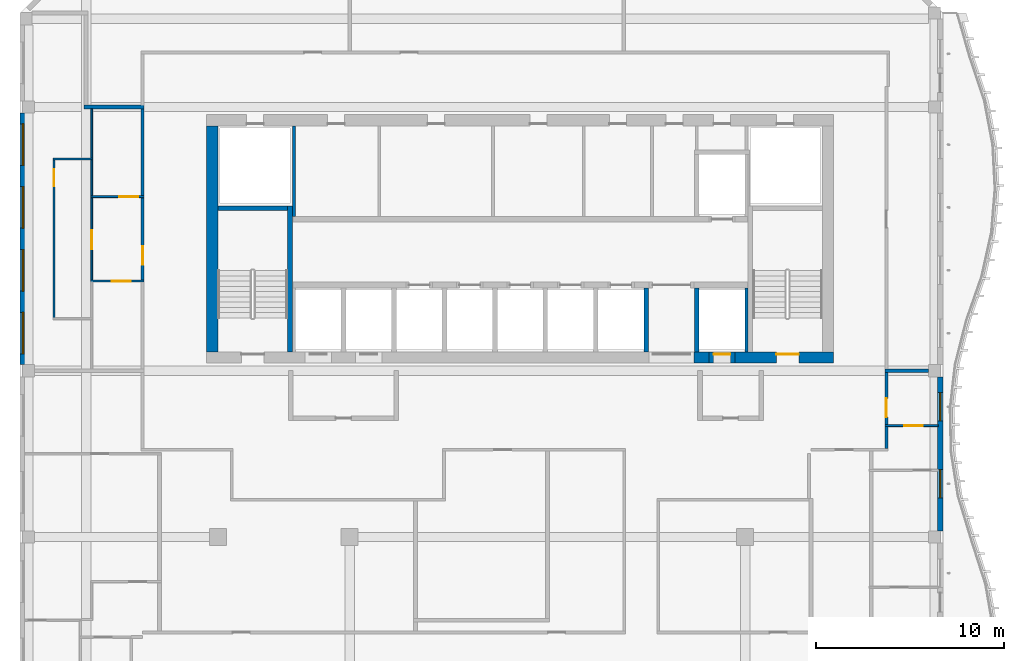
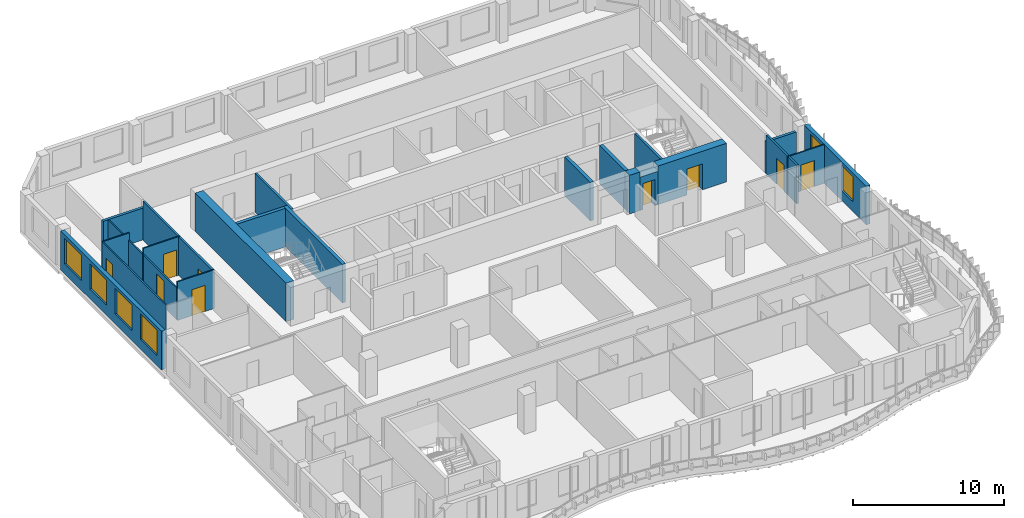
# One storey, part 6 of 17: 26 walls, 9 doors, 6 windows, 15 openings.
"""IFC4 building model written with IfcOpenShell, lengths in metres."""

import ifcopenshell
import ifcopenshell.guid

model = None  # the IFC model being written
_history = None  # IfcOwnerHistory: only IFC2X3 demands one
_inside = {}  # id of a spatial element -> (the spatial element, [elements in it])
_under = {}  # id of a project, library or spatial element -> (it, [spatial elements below it])
_declared = {}  # id of a project -> (the project, [libraries it declares])
_typed = {}  # id of a type object -> (the type object, [elements of that type])
_made_of = {}  # id of a material, layer set ... -> (it, [elements and type objects made of it])


def new_model(schema):
    """Start an empty IFC model of exactly this schema.

    Asked for "IFC4X3", IfcOpenShell would pick the latest addendum, in which some entities
    have other attributes; the version numbers below select the first issue.
    IFC2X3 requires an IfcOwnerHistory on every rooted entity: one is made here for all.
    """
    global model, _history
    if schema == "IFC4X3":
        model = ifcopenshell.file(schema_version=(4, 3, 0, 0))
    else:
        model = ifcopenshell.file(schema=schema)
    _inside.clear()
    _under.clear()
    _declared.clear()
    _typed.clear()
    _made_of.clear()
    _history = None
    if model.schema == "IFC2X3":
        org = make("IfcOrganization", Name="unknown")
        user = make(
            "IfcPersonAndOrganization",
            ThePerson=make("IfcPerson", FamilyName="unknown"),
            TheOrganization=org,
        )
        app = make(
            "IfcApplication",
            ApplicationDeveloper=org,
            Version="unknown",
            ApplicationFullName="unknown",
            ApplicationIdentifier="unknown",
        )
        _history = make(
            "IfcOwnerHistory",
            OwningUser=user,
            OwningApplication=app,
            ChangeAction="ADDED",
            CreationDate=0,
        )
    return model


def make(cls, **values):
    """One entity of the class cls with the attributes given. An attribute that is None is left unset."""
    return model.create_entity(
        cls, **{name: value for name, value in values.items() if value is not None}
    )


def rooted(cls, **values):
    """An entity with a GlobalId (a new one), such as an element, a storey or a relation."""
    return make(cls, GlobalId=ifcopenshell.guid.new(), OwnerHistory=_history, **values)


def si_unit(unit_type, name, prefix=None):
    """IfcSIUnit, for example si_unit("LENGTHUNIT", "METRE", prefix="MILLI")."""
    return make("IfcSIUnit", UnitType=unit_type, Prefix=prefix, Name=name)


def assignment(units):
    """IfcUnitAssignment: the units of a project."""
    return None if units is None else make("IfcUnitAssignment", Units=units)


def point(xyz):
    """IfcCartesianPoint."""
    return None if xyz is None else make("IfcCartesianPoint", Coordinates=xyz)


def direction(xyz):
    """IfcDirection."""
    return None if xyz is None else make("IfcDirection", DirectionRatios=xyz)


def frame(location, z_axis=None, x_axis=None):
    """IfcAxis2Placement3D, a coordinate frame: its origin and axes. An axis left out is left unset."""
    return make(
        "IfcAxis2Placement3D",
        Location=point(location),
        Axis=direction(z_axis),
        RefDirection=direction(x_axis),
    )


def frame_2d(location, x_axis=None):
    """IfcAxis2Placement2D, a coordinate frame in the plane: its origin and x axis."""
    return make(
        "IfcAxis2Placement2D", Location=point(location), RefDirection=direction(x_axis)
    )


def origin():
    """The frame at (0, 0, 0) with its axes left unset."""
    return frame((0.0, 0.0, 0.0))


def place(relative_to, where):
    """IfcLocalPlacement: puts the frame where relative to a parent placement (None: the world)."""
    return make(
        "IfcLocalPlacement", PlacementRelTo=relative_to, RelativePlacement=where
    )


def context(
    kind, dimensions, precision=None, world=None, true_north=None, identifier=None
):
    """IfcGeometricRepresentationContext, for example the 3D "Model" context."""
    return make(
        "IfcGeometricRepresentationContext",
        ContextIdentifier=identifier,
        ContextType=kind,
        CoordinateSpaceDimension=dimensions,
        Precision=precision,
        WorldCoordinateSystem=world,
        TrueNorth=true_north,
    )


def subcontext(parent, identifier, kind, view, scale=None):
    """IfcGeometricRepresentationSubContext, for example "Body" below "Model"."""
    return make(
        "IfcGeometricRepresentationSubContext",
        ContextIdentifier=identifier,
        ContextType=kind,
        ParentContext=parent,
        TargetScale=scale,
        TargetView=view,
    )


def project(units=None, contexts=None):
    """IfcProject with its units and contexts."""
    return rooted(
        "IfcProject",
        Name="project",
        RepresentationContexts=contexts,
        UnitsInContext=assignment(units),
    )


def spatial(cls, under=None, at=None, **own):
    """A site, building, storey or space (cls), placed at a placement, below another one or the project."""
    s = rooted(cls, ObjectPlacement=at, **own)
    if under is not None:
        _under.setdefault(under.id(), (under, []))[1].append(s)
    return s


def profile(cls, at=None, kind="AREA", **sizes):
    """A parametric profile (cls). Its sizes go by their IFC names, for example OverallWidth=200.0."""
    return make(cls, ProfileType=kind, Position=at, **sizes)


def rectangle(**sizes):
    """IfcRectangleProfileDef."""
    return profile("IfcRectangleProfileDef", **sizes)


def extrude(swept, where, along, depth):
    """IfcExtrudedAreaSolid: the profile swept, set in the frame where, extruded along a direction by depth."""
    return make(
        "IfcExtrudedAreaSolid",
        SweptArea=swept,
        Position=where,
        ExtrudedDirection=direction(along),
        Depth=depth,
    )


def shape(context_of_items, identifier, shape_type, items):
    """IfcShapeRepresentation: the items that make up one representation, for example the "Body"."""
    return make(
        "IfcShapeRepresentation",
        ContextOfItems=context_of_items,
        RepresentationIdentifier=identifier,
        RepresentationType=shape_type,
        Items=items,
    )


def source(mapping_origin, context_of_items, identifier, shape_type, items):
    """IfcRepresentationMap: a shape defined once, which mapped items show again and again."""
    return make(
        "IfcRepresentationMap",
        MappingOrigin=mapping_origin,
        MappedRepresentation=shape(context_of_items, identifier, shape_type, items),
    )


def transform(
    local_origin,
    x_axis=None,
    y_axis=None,
    z_axis=None,
    scale=None,
    scale2=None,
    scale3=None,
    uniform=True,
):
    """IfcCartesianTransformationOperator3D, or its non-uniform kind. x_axis, y_axis, z_axis: its Axis1, 2, 3."""
    if uniform:
        return make(
            "IfcCartesianTransformationOperator3D",
            Axis1=direction(x_axis),
            Axis2=direction(y_axis),
            LocalOrigin=point(local_origin),
            Scale=scale,
            Axis3=direction(z_axis),
        )
    return make(
        "IfcCartesianTransformationOperator3DnonUniform",
        Axis1=direction(x_axis),
        Axis2=direction(y_axis),
        LocalOrigin=point(local_origin),
        Scale=scale,
        Axis3=direction(z_axis),
        Scale2=scale2,
        Scale3=scale3,
    )


def mapped(mapping_source, mapping_target):
    """IfcMappedItem: shows the shape of a source again, moved by a transform."""
    return make(
        "IfcMappedItem", MappingSource=mapping_source, MappingTarget=mapping_target
    )


def material(Name=None, Category=None):
    """IfcMaterial."""
    return make("IfcMaterial", Name=Name, Category=Category)


def layer(
    of_material, thickness, ventilated=None, Name=None, Category=None, Priority=None
):
    """IfcMaterialLayer: one layer of a wall or slab, of a material (None: an air gap)."""
    return make(
        "IfcMaterialLayer",
        Material=of_material,
        LayerThickness=thickness,
        IsVentilated=ventilated,
        Name=Name,
        Category=Category,
        Priority=Priority,
    )


def layer_set(layers, Name=None):
    """IfcMaterialLayerSet."""
    return make("IfcMaterialLayerSet", MaterialLayers=layers, LayerSetName=Name)


def made_of(thing, what):
    """Note that an element or type object is made of a material, layer set ...; save() writes the relation."""
    if what is not None:
        _made_of.setdefault(what.id(), (what, []))[1].append(thing)
    return thing


def type_object(cls, material=None, **own):
    """A type object (cls), such as IfcWallType, which elements share."""
    return made_of(rooted(cls, **own), material)


def element(
    cls,
    number,
    at=None,
    inside=None,
    cuts=None,
    type_object=None,
    material=None,
    context=None,
    identifier="Body",
    shape_type=None,
    held_by="IfcProductDefinitionShape",
    body=None,
    shapes=None,
    **own,
):
    """One element of the class cls, such as IfcWall. Its Tag is "e" and its number.

    at: its placement. inside: the storey or other place that contains it. cuts: it is an
    opening in that element (IfcRelVoidsElement). A single representation is given by context,
    identifier, shape_type and body (its items); several are given by shapes. held_by: the class
    of the entity that holds the representations. save() writes the other relations.
    """
    e = rooted(cls, Tag="e%d" % number, ObjectPlacement=at, **own)
    if body is not None:
        shapes = [shape(context, identifier, shape_type, body)]
    if shapes is not None:
        e.Representation = make(held_by, Representations=shapes)
    if inside is not None:
        _inside.setdefault(inside.id(), (inside, []))[1].append(e)
    if cuts is not None:
        rooted(
            "IfcRelVoidsElement", RelatingBuildingElement=cuts, RelatedOpeningElement=e
        )
    if type_object is not None:
        _typed.setdefault(type_object.id(), (type_object, []))[1].append(e)
    return made_of(e, material)


def fill(opening, filler):
    """IfcRelFillsElement: the door or window that sits in an opening."""
    return rooted(
        "IfcRelFillsElement",
        RelatingOpeningElement=opening,
        RelatedBuildingElement=filler,
    )


def aggregate(whole, parts):
    """IfcRelAggregates: a whole, such as a stair, and the parts it consists of."""
    return rooted("IfcRelAggregates", RelatingObject=whole, RelatedObjects=parts)


def save(model, path):
    """Write the relations noted so far, then the file.

    IfcRelAggregates (storeys below a building ...), IfcRelContainedInSpatialStructure (elements
    in a storey), IfcRelDefinesByType, IfcRelAssociatesMaterial and IfcRelDeclares: one each for
    every whole, place, type object, material and project.
    """
    for whole, parts in _under.values():
        aggregate(whole, parts)
    for where, things in _inside.values():
        rooted(
            "IfcRelContainedInSpatialStructure",
            RelatedElements=things,
            RelatingStructure=where,
        )
    for kind, things in _typed.values():
        rooted("IfcRelDefinesByType", RelatedObjects=things, RelatingType=kind)
    for what, things in _made_of.values():
        rooted("IfcRelAssociatesMaterial", RelatedObjects=things, RelatingMaterial=what)
    for by, libraries in _declared.values():
        rooted("IfcRelDeclares", RelatingContext=by, RelatedDefinitions=libraries)
    model.write(path)


model = new_model("IFC4")

# Units and contexts
model_context = context("Model", 3, precision=1e-05, world=origin(), true_north=direction((0.0, 1.0)))
body_context = subcontext(model_context, "Body", "Model", "MODEL_VIEW")
ifc_project = project(units=[si_unit("LENGTHUNIT", "METRE"), si_unit("AREAUNIT", "SQUARE_METRE"), si_unit("VOLUMEUNIT", "CUBIC_METRE"), si_unit("PLANEANGLEUNIT", "RADIAN"), si_unit("MASSUNIT", "GRAM", prefix="KILO")], contexts=[model_context])

# Site, building, storey
site_placement = place(None, origin())
site = spatial("IfcSite", under=ifc_project, at=site_placement, CompositionType="ELEMENT")
building_placement = place(site_placement, origin())
building = spatial("IfcBuilding", under=site, at=building_placement, Name="Kilnfold Tower and Market Hall", CompositionType="ELEMENT")
storey_placement = place(building_placement, frame((0.0, 0.0, 273.800048828125)))
storey = spatial("IfcBuildingStorey", under=building, at=storey_placement, Name="L67", CompositionType="ELEMENT", Elevation=273.800048828125)

# Wall
ifc_material_1 = material(Name="Gypsum board on steel studs", Category="steel")
ifc_layer_1 = layer(ifc_material_1, 0.14990234375)
ifc_layer_set_1 = layer_set([ifc_layer_1], Name="Gypsum board on steel studs")
wall_type_1 = type_object("IfcWallType", Name="WALL CORRIDOR 150", PredefinedType="PARTITIONING", material=ifc_layer_set_1)
wall_1_placement = place(storey_placement, frame((20.5, 3.875, 0.0), z_axis=(0.0, 0.0, 1.0), x_axis=(0.0, 1.0, 0.0)))
element("IfcWall", 1, at=wall_1_placement, inside=storey, type_object=wall_type_1, Name="Partition LY41.18", PredefinedType="PARTITIONING", context=body_context, shape_type="SweptSolid", body=[
    extrude(rectangle(XDim=1.16796875, YDim=0.14990234375, at=frame_2d((0.583984375, 0.0))), origin(), (0.0, 0.0, 1.0), 3.119873046875),
])

# Wall, opening, door
wall_2_placement = place(storey_placement, frame((20.5, 5.123046875, 0.0), z_axis=(0.0, 0.0, 1.0), x_axis=(0.0, 1.0, 0.0)))
wall_2 = element("IfcWall", 2, at=wall_2_placement, inside=storey, type_object=wall_type_1, Name="Partition LY41.19", PredefinedType="PARTITIONING", context=body_context, shape_type="SweptSolid", body=[
    extrude(rectangle(XDim=2.786865234375, YDim=0.14990234375, at=frame_2d((1.3935546875, 0.0))), origin(), (0.0, 0.0, 1.0), 3.119873046875),
])
opening_1_placement = place(wall_2_placement, frame((0.4130859375, 0.0, 0.0)))
opening_1 = element("IfcOpeningElement", 3, at=opening_1_placement, cuts=wall_2, Name="Opening D1", PredefinedType="OPENING", context=body_context, shape_type="SweptSolid", body=[
    extrude(rectangle(XDim=1.0, YDim=2.10009765625, at=frame_2d((0.5, 1.050048828125))), frame((0.0, 0.0849609375, 0.0), z_axis=(0.0, -1.0, 0.0), x_axis=(1.0, 0.0, 0.0)), (0.0, 0.0, 1.0), 0.169921875),
])
ifc_material_2 = material(Name="Timber veneer door leaf in steel frame", Category="steel")
door_type_1 = type_object("IfcDoorType", Name="DOOR ENTRY 1000 X2100", OperationType="NOTDEFINED", PredefinedType="DOOR", material=ifc_material_2)
door_1_placement = place(opening_1_placement, origin())
door_1 = element("IfcDoor", 4, at=door_1_placement, inside=storey, type_object=door_type_1, Name="Door D1", OperationType="SINGLE_SWING_LEFT", OverallHeight=2.10009765625, OverallWidth=1.0, PredefinedType="DOOR", context=body_context, shape_type="SweptSolid", body=[
    extrude(rectangle(XDim=1.0, YDim=2.10009765625, at=frame_2d((0.5, 1.050048828125))), frame((0.0, 0.02490234375, 0.0), z_axis=(0.0, -1.0, 0.0), x_axis=(1.0, 0.0, 0.0)), (0.0, 0.0, 1.0), 0.050048828125),
])
fill(opening_1, door_1)

wall_3_placement = place(storey_placement, frame((-19.0, 12.800048828125, 0.0), z_axis=(0.0, 0.0, 1.0), x_axis=(0.0, 1.0, 0.0)))
wall_3 = element("IfcWall", 5, at=wall_3_placement, inside=storey, type_object=wall_type_1, Name="Partition LY41.25", PredefinedType="PARTITIONING", context=body_context, shape_type="SweptSolid", body=[
    extrude(rectangle(XDim=4.39990234375, YDim=0.14990234375, at=frame_2d((2.199951171875, 0.0))), origin(), (0.0, 0.0, 1.0), 3.119873046875),
])
opening_2_placement = place(wall_3_placement, frame((0.821044921875, 0.0, 0.0)))
opening_2 = element("IfcOpeningElement", 6, at=opening_2_placement, cuts=wall_3, Name="Opening D1", PredefinedType="OPENING", context=body_context, shape_type="SweptSolid", body=[
    extrude(rectangle(XDim=1.0, YDim=2.10009765625, at=frame_2d((0.5, 1.050048828125))), frame((0.0, 0.0849609375, 0.0), z_axis=(0.0, -1.0, 0.0), x_axis=(1.0, 0.0, 0.0)), (0.0, 0.0, 1.0), 0.169921875),
])
door_2_placement = place(opening_2_placement, origin())
door_2 = element("IfcDoor", 7, at=door_2_placement, inside=storey, type_object=door_type_1, Name="Door D1", OperationType="SINGLE_SWING_RIGHT", OverallHeight=2.10009765625, OverallWidth=1.0, PredefinedType="DOOR", context=body_context, shape_type="SweptSolid", body=[
    extrude(rectangle(XDim=1.0, YDim=2.10009765625, at=frame_2d((0.5, 1.050048828125))), frame((0.0, 0.02490234375, 0.0), z_axis=(0.0, -1.0, 0.0), x_axis=(1.0, 0.0, 0.0)), (0.0, 0.0, 1.0), 0.050048828125),
])
fill(opening_2, door_2)

# Wall
wall_4_placement = place(storey_placement, frame((-19.0, 17.280029296875, 0.0), z_axis=(0.0, 0.0, 1.0), x_axis=(0.0, 1.0, 0.0)))
element("IfcWall", 8, at=wall_4_placement, inside=storey, type_object=wall_type_1, Name="Partition LY41.26", PredefinedType="PARTITIONING", context=body_context, shape_type="SweptSolid", body=[
    extrude(rectangle(XDim=4.6298828125, YDim=0.14990234375, at=frame_2d((2.31494140625, 0.0))), origin(), (0.0, 0.0, 1.0), 3.119873046875),
])

# Wall, opening, door
ifc_material_3 = material(Name="Gypsum board on steel studs", Category="steel")
ifc_layer_2 = layer(ifc_material_3, 0.10009765625)
ifc_layer_set_2 = layer_set([ifc_layer_2], Name="Gypsum board on steel studs")
wall_type_2 = type_object("IfcWallType", Name="WALL PARTITION 100", PredefinedType="PARTITIONING", material=ifc_layer_set_2)
wall_5_placement = place(storey_placement, frame((23.25, 5.0830078125, 0.0), z_axis=(0.0, 0.0, 1.0), x_axis=(-1.0, 0.0, 0.0)))
wall_5 = element("IfcWall", 9, at=wall_5_placement, inside=storey, type_object=wall_type_2, Name="Partition LY41.77", PredefinedType="PARTITIONING", context=body_context, shape_type="SweptSolid", body=[
    extrude(rectangle(XDim=2.822998046875, YDim=0.10009765625, at=frame_2d((1.41162109375, 0.0))), origin(), (0.0, 0.0, 1.0), 3.119873046875),
])
opening_3_placement = place(wall_5_placement, frame((0.81005859375, 0.0, 0.0)))
opening_3 = element("IfcOpeningElement", 10, at=opening_3_placement, cuts=wall_5, Name="Opening D1", PredefinedType="OPENING", context=body_context, shape_type="SweptSolid", body=[
    extrude(rectangle(XDim=1.0, YDim=2.10009765625, at=frame_2d((0.5, 1.050048828125))), frame((0.0, 0.06005859375, 0.0), z_axis=(0.0, -1.0, 0.0), x_axis=(1.0, 0.0, 0.0)), (0.0, 0.0, 1.0), 0.1201171875),
])
door_3_placement = place(opening_3_placement, origin())
door_3 = element("IfcDoor", 11, at=door_3_placement, inside=storey, type_object=door_type_1, Name="Door D1", OperationType="SINGLE_SWING_RIGHT", OverallHeight=2.10009765625, OverallWidth=1.0, PredefinedType="DOOR", context=body_context, shape_type="SweptSolid", body=[
    extrude(rectangle(XDim=1.0, YDim=2.10009765625, at=frame_2d((0.5, 1.050048828125))), frame((0.0, 0.02490234375, 0.0), z_axis=(0.0, -1.0, 0.0), x_axis=(1.0, 0.0, 0.0)), (0.0, 0.0, 1.0), 0.050048828125),
])
fill(opening_3, door_3)

wall_6_placement = place(storey_placement, frame((-18.927001953125, 12.760009765625, 0.0), z_axis=(0.0, 0.0, 1.0), x_axis=(-1.0, 0.0, 0.0)))
wall_6 = element("IfcWall", 12, at=wall_6_placement, inside=storey, type_object=wall_type_2, Name="Partition LY41.85", PredefinedType="PARTITIONING", context=body_context, shape_type="SweptSolid", body=[
    extrude(rectangle(XDim=2.822998046875, YDim=0.10009765625, at=frame_2d((1.41162109375, 0.0))), origin(), (0.0, 0.0, 1.0), 3.119873046875),
])
opening_4_placement = place(wall_6_placement, frame((0.7080078125, 0.0, 0.0)))
opening_4 = element("IfcOpeningElement", 13, at=opening_4_placement, cuts=wall_6, Name="Opening D1", PredefinedType="OPENING", context=body_context, shape_type="SweptSolid", body=[
    extrude(rectangle(XDim=1.0, YDim=2.10009765625, at=frame_2d((0.5, 1.050048828125))), frame((0.0, 0.06005859375, 0.0), z_axis=(0.0, -1.0, 0.0), x_axis=(1.0, 0.0, 0.0)), (0.0, 0.0, 1.0), 0.1201171875),
])
door_4_placement = place(opening_4_placement, origin())
door_4 = element("IfcDoor", 14, at=door_4_placement, inside=storey, type_object=door_type_1, Name="Door D1", OperationType="SINGLE_SWING_LEFT", OverallHeight=2.10009765625, OverallWidth=1.0, PredefinedType="DOOR", context=body_context, shape_type="SweptSolid", body=[
    extrude(rectangle(XDim=1.0, YDim=2.10009765625, at=frame_2d((0.5, 1.050048828125))), frame((0.0, 0.02490234375, 0.0), z_axis=(0.0, -1.0, 0.0), x_axis=(1.0, 0.0, 0.0)), (0.0, 0.0, 1.0), 0.050048828125),
])
fill(opening_4, door_4)

wall_7_placement = place(storey_placement, frame((-18.927001953125, 17.239990234375, 0.0), z_axis=(0.0, 0.0, 1.0), x_axis=(-1.0, 0.0, 0.0)))
wall_7 = element("IfcWall", 15, at=wall_7_placement, inside=storey, type_object=wall_type_2, Name="Partition LY41.88", PredefinedType="PARTITIONING", context=body_context, shape_type="SweptSolid", body=[
    extrude(rectangle(XDim=2.822998046875, YDim=0.10009765625, at=frame_2d((1.41162109375, 0.0))), origin(), (0.0, 0.0, 1.0), 3.119873046875),
])
opening_5_placement = place(wall_7_placement, frame((0.302001953125, 0.0, 0.0)))
opening_5 = element("IfcOpeningElement", 16, at=opening_5_placement, cuts=wall_7, Name="Opening D1", PredefinedType="OPENING", context=body_context, shape_type="SweptSolid", body=[
    extrude(rectangle(XDim=1.0, YDim=2.10009765625, at=frame_2d((0.5, 1.050048828125))), frame((0.0, 0.06005859375, 0.0), z_axis=(0.0, -1.0, 0.0), x_axis=(1.0, 0.0, 0.0)), (0.0, 0.0, 1.0), 0.1201171875),
])
door_5_placement = place(opening_5_placement, origin())
door_5 = element("IfcDoor", 17, at=door_5_placement, inside=storey, type_object=door_type_1, Name="Door D1", OperationType="SINGLE_SWING_RIGHT", OverallHeight=2.10009765625, OverallWidth=1.0, PredefinedType="DOOR", context=body_context, shape_type="SweptSolid", body=[
    extrude(rectangle(XDim=1.0, YDim=2.10009765625, at=frame_2d((0.5, 1.050048828125))), frame((0.0, 0.02490234375, 0.0), z_axis=(0.0, -1.0, 0.0), x_axis=(1.0, 0.0, 0.0)), (0.0, 0.0, 1.0), 0.050048828125),
])
fill(opening_5, door_5)

wall_8_placement = place(storey_placement, frame((-21.699951171875, 12.81005859375, 0.0), z_axis=(0.0, 0.0, 1.0), x_axis=(0.0, 1.0, 0.0)))
wall_8 = element("IfcWall", 18, at=wall_8_placement, inside=storey, type_object=wall_type_2, Name="Partition LY41.89", PredefinedType="PARTITIONING", context=body_context, shape_type="SweptSolid", body=[
    extrude(rectangle(XDim=4.3798828125, YDim=0.10009765625, at=frame_2d((2.18994140625, 0.0))), origin(), (0.0, 0.0, 1.0), 2.570068359375),
])
opening_6_placement = place(wall_8_placement, frame((1.638916015625, 0.0, 0.0)))
opening_6 = element("IfcOpeningElement", 19, at=opening_6_placement, cuts=wall_8, Name="Opening D1", PredefinedType="OPENING", context=body_context, shape_type="SweptSolid", body=[
    extrude(rectangle(XDim=1.0, YDim=2.10009765625, at=frame_2d((0.5, 1.050048828125))), frame((0.0, 0.06005859375, 0.0), z_axis=(0.0, -1.0, 0.0), x_axis=(1.0, 0.0, 0.0)), (0.0, 0.0, 1.0), 0.1201171875),
])
door_6_placement = place(opening_6_placement, origin())
door_6 = element("IfcDoor", 20, at=door_6_placement, inside=storey, type_object=door_type_1, Name="Door D1", OperationType="SINGLE_SWING_RIGHT", OverallHeight=2.10009765625, OverallWidth=1.0, PredefinedType="DOOR", context=body_context, shape_type="SweptSolid", body=[
    extrude(rectangle(XDim=1.0, YDim=2.10009765625, at=frame_2d((0.5, 1.050048828125))), frame((0.0, 0.02490234375, 0.0), z_axis=(0.0, -1.0, 0.0), x_axis=(1.0, 0.0, 0.0)), (0.0, 0.0, 1.0), 0.050048828125),
])
fill(opening_6, door_6)

# Walls
wall_9_placement = place(storey_placement, frame((-21.699951171875, 19.281005859375, 0.0), z_axis=(0.0, 0.0, 1.0), x_axis=(0.0, 1.0, 0.0)))
element("IfcWall", 21, at=wall_9_placement, inside=storey, type_object=wall_type_2, Name="Partition LY41.90", PredefinedType="PARTITIONING", context=body_context, shape_type="SweptSolid", body=[
    extrude(rectangle(XDim=2.618896484375, YDim=0.10009765625, at=frame_2d((1.3095703125, 0.0))), origin(), (0.0, 0.0, 1.0), 2.570068359375),
])
wall_10_placement = place(storey_placement, frame((-21.699951171875, 17.2900390625, 0.0), z_axis=(0.0, 0.0, 1.0), x_axis=(0.0, 1.0, 0.0)))
element("IfcWall", 22, at=wall_10_placement, inside=storey, type_object=wall_type_2, Name="Partition LY41.91", PredefinedType="PARTITIONING", context=body_context, shape_type="SweptSolid", body=[
    extrude(rectangle(XDim=1.909912109375, YDim=0.10009765625, at=frame_2d((0.955078125, 0.0))), origin(), (0.0, 0.0, 1.0), 2.570068359375),
])
wall_11_placement = place(storey_placement, frame((-23.7509765625, 19.240966796875, 0.0), z_axis=(0.0, 0.0, 1.0), x_axis=(1.0, 0.0, 0.0)))
element("IfcWall", 23, at=wall_11_placement, inside=storey, type_object=wall_type_2, Name="Partition LY41.92", PredefinedType="PARTITIONING", context=body_context, shape_type="SweptSolid", body=[
    extrude(rectangle(XDim=2.098876953125, YDim=0.10009765625, at=frame_2d((1.04931640625, 0.0))), origin(), (0.0, 0.0, 1.0), 3.119873046875),
])

# Wall, opening, door
wall_12_placement = place(storey_placement, frame((-23.700927734375, 10.80908203125, 0.0), z_axis=(0.0, 0.0, 1.0), x_axis=(0.0, 1.0, 0.0)))
wall_12 = element("IfcWall", 24, at=wall_12_placement, inside=storey, type_object=wall_type_2, Name="Partition LY41.93", PredefinedType="PARTITIONING", context=body_context, shape_type="SweptSolid", body=[
    extrude(rectangle(XDim=8.3818359375, YDim=0.10009765625, at=frame_2d((4.19091796875, 0.0))), origin(), (0.0, 0.0, 1.0), 3.119873046875),
])
opening_7_placement = place(wall_12_placement, frame((6.97802734375, 0.0, 0.0)))
opening_7 = element("IfcOpeningElement", 25, at=opening_7_placement, cuts=wall_12, Name="Opening D2", PredefinedType="OPENING", context=body_context, shape_type="SweptSolid", body=[
    extrude(rectangle(XDim=0.89990234375, YDim=2.10009765625, at=frame_2d((0.449951171875, 1.050048828125))), frame((0.0, 0.06005859375, 0.0), z_axis=(0.0, -1.0, 0.0), x_axis=(1.0, 0.0, 0.0)), (0.0, 0.0, 1.0), 0.1201171875),
])
ifc_material_4 = material(Name="Timber veneer door leaf in steel frame", Category="steel")
door_type_2 = type_object("IfcDoorType", Name="DOOR ROOM 900 X2100", OperationType="NOTDEFINED", PredefinedType="DOOR", material=ifc_material_4)
door_7_placement = place(opening_7_placement, origin())
door_7 = element("IfcDoor", 26, at=door_7_placement, inside=storey, type_object=door_type_2, Name="Door D2", OperationType="SINGLE_SWING_LEFT", OverallHeight=2.10009765625, OverallWidth=0.89990234375, PredefinedType="DOOR", context=body_context, shape_type="SweptSolid", body=[
    extrude(rectangle(XDim=0.89990234375, YDim=2.10009765625, at=frame_2d((0.449951171875, 1.050048828125))), frame((0.0, 0.02490234375, 0.0), z_axis=(0.0, -1.0, 0.0), x_axis=(1.0, 0.0, 0.0)), (0.0, 0.0, 1.0), 0.050048828125),
])
fill(opening_7, door_7)

# Walls
ifc_material_5 = material(Name="Gypsum board on steel studs", Category="steel")
ifc_layer_3 = layer(ifc_material_5, 0.199951171875)
ifc_layer_set_3 = layer_set([ifc_layer_3], Name="Gypsum board on steel studs")
wall_type_3 = type_object("IfcWallType", Name="WALL PARTY 200", PredefinedType="PARTITIONING", material=ifc_layer_set_3)
wall_13_placement = place(storey_placement, frame((20.427001953125, 8.0, 0.0), z_axis=(0.0, 0.0, 1.0), x_axis=(1.0, 0.0, 0.0)))
element("IfcWall", 27, at=wall_13_placement, inside=storey, type_object=wall_type_3, Name="Partition LY41.79", PredefinedType="PARTITIONING", context=body_context, shape_type="SweptSolid", body=[
    extrude(rectangle(XDim=2.298095703125, YDim=0.199951171875, at=frame_2d((1.14892578125, 0.0))), origin(), (0.0, 0.0, 1.0), 2.570068359375),
])
wall_14_placement = place(storey_placement, frame((-22.10009765625, 22.0, 0.0), z_axis=(0.0, 0.0, 1.0), x_axis=(1.0, 0.0, 0.0)))
element("IfcWall", 28, at=wall_14_placement, inside=storey, type_object=wall_type_3, Name="Partition LY41.84", PredefinedType="PARTITIONING", context=body_context, shape_type="SweptSolid", body=[
    extrude(rectangle(XDim=3.173095703125, YDim=0.199951171875, at=frame_2d((1.58642578125, 0.0))), origin(), (0.0, 0.0, 1.0), 2.570068359375),
])
ifc_material_6 = material(Name="Concrete C50", Category="concrete")
ifc_layer_4 = layer(ifc_material_6, 0.25)
ifc_layer_set_4 = layer_set([ifc_layer_4], Name="Concrete C50")
wall_type_4 = type_object("IfcWallType", Name="CORE WALL 250 C50", PredefinedType="SHEAR", material=ifc_layer_set_4)
shared_shape_1 = source(origin(), body_context, "Body", "SweptSolid", [
    extrude(rectangle(XDim=7.75, YDim=0.25, at=frame_2d((3.875, 0.0))), origin(), (0.0, 0.0, 1.0), 3.119873046875),
])
wall_15_placement = place(storey_placement, frame((-11.175048828125, 9.0, 0.0), z_axis=(0.0, 0.0, 1.0), x_axis=(0.0, 1.0, 0.0)))
element("IfcWall", 29, at=wall_15_placement, inside=storey, type_object=wall_type_4, Name="Stair enclosure ST1", PredefinedType="SHEAR", context=body_context, shape_type="MappedRepresentation", body=[
    mapped(shared_shape_1, transform((0.0, 0.0, 0.0))),
])
shared_shape_2 = source(origin(), body_context, "Body", "SweptSolid", [
    extrude(rectangle(XDim=3.699951171875, YDim=0.25, at=frame_2d((1.85009765625, 0.0))), origin(), (0.0, 0.0, 1.0), 3.119873046875),
])
wall_16_placement = place(storey_placement, frame((-15.0, 16.625, 0.0), z_axis=(0.0, 0.0, 1.0), x_axis=(1.0, 0.0, 0.0)))
element("IfcWall", 30, at=wall_16_placement, inside=storey, type_object=wall_type_4, Name="Stair enclosure ST1", PredefinedType="SHEAR", context=body_context, shape_type="MappedRepresentation", body=[
    mapped(shared_shape_2, transform((0.0, 0.0, 0.0))),
])

# Wall, opening, door
ifc_material_7 = material(Name="Concrete C50", Category="concrete")
ifc_layer_5 = layer(ifc_material_7, 0.60009765625)
ifc_layer_set_5 = layer_set([ifc_layer_5], Name="Concrete C50")
wall_type_5 = type_object("IfcWallType", Name="CORE WALL 600 C50", PredefinedType="SHEAR", material=ifc_layer_set_5)
shared_shape_3 = source(origin(), body_context, "Body", "SweptSolid", [
    extrude(rectangle(XDim=5.22998046875, YDim=0.60009765625, at=frame_2d((2.614990234375, 0.0))), origin(), (0.0, 0.0, 1.0), 3.119873046875),
])
wall_17_placement = place(storey_placement, frame((12.469970703125, 8.699951171875, 0.0), z_axis=(0.0, 0.0, 1.0), x_axis=(1.0, 0.0, 0.0)))
wall_17 = element("IfcWall", 31, at=wall_17_placement, inside=storey, type_object=wall_type_5, Name="Core outer wall south", PredefinedType="SHEAR", context=body_context, shape_type="MappedRepresentation", body=[
    mapped(shared_shape_3, transform((0.0, 0.0, 0.0))),
])
opening_8_placement = place(wall_17_placement, frame((2.179931640625, 0.0, 0.0)))
opening_8 = element("IfcOpeningElement", 32, at=opening_8_placement, cuts=wall_17, Name="Opening SD1", PredefinedType="OPENING", context=body_context, shape_type="SweptSolid", body=[
    extrude(rectangle(XDim=1.199951171875, YDim=2.10009765625, at=frame_2d((0.60009765625, 1.050048828125))), frame((0.0, 0.31005859375, 0.0), z_axis=(0.0, -1.0, 0.0), x_axis=(1.0, 0.0, 0.0)), (0.0, 0.0, 1.0), 0.6201171875),
])
ifc_material_8 = material(Name="Steel door set with fire-resisting leaf", Category="steel")
door_type_3 = type_object("IfcDoorType", Name="STAIR FLOOR DOOR 1200X2100", OperationType="NOTDEFINED", PredefinedType="DOOR", material=ifc_material_8)
door_8_placement = place(opening_8_placement, origin())
door_8 = element("IfcDoor", 33, at=door_8_placement, inside=storey, type_object=door_type_3, Name="Exit stair ST2 door", OperationType="DOUBLE_DOOR_SINGLE_SWING", OverallHeight=2.10009765625, OverallWidth=1.199951171875, PredefinedType="DOOR", context=body_context, shape_type="SweptSolid", body=[
    extrude(rectangle(XDim=1.199951171875, YDim=2.10009765625, at=frame_2d((0.60009765625, 1.050048828125))), frame((0.0, 0.205078125, 0.0), z_axis=(0.0, -1.0, 0.0), x_axis=(1.0, 0.0, 0.0)), (0.0, 0.0, 1.0), 0.050048828125),
])
fill(opening_8, door_8)

# Walls
shared_shape_4 = source(origin(), body_context, "Body", "SweptSolid", [
    extrude(rectangle(XDim=0.780029296875, YDim=0.60009765625, at=frame_2d((0.39013671875, 0.0))), origin(), (0.0, 0.0, 1.0), 3.119873046875),
])
wall_18_placement = place(storey_placement, frame((10.2900390625, 8.699951171875, 0.0), z_axis=(0.0, 0.0, 1.0), x_axis=(1.0, 0.0, 0.0)))
element("IfcWall", 34, at=wall_18_placement, inside=storey, type_object=wall_type_5, Name="Core outer wall south", PredefinedType="SHEAR", context=body_context, shape_type="MappedRepresentation", body=[
    mapped(shared_shape_4, transform((0.0, 0.0, 0.0))),
])
shared_shape_5 = source(origin(), body_context, "Body", "SweptSolid", [
    extrude(rectangle(XDim=12.0, YDim=0.60009765625, at=frame_2d((6.0, 0.0))), origin(), (0.0, 0.0, 1.0), 3.119873046875),
])
wall_19_placement = place(storey_placement, frame((-15.300048828125, 9.0, 0.0), z_axis=(0.0, 0.0, 1.0), x_axis=(0.0, 1.0, 0.0)))
element("IfcWall", 35, at=wall_19_placement, inside=storey, type_object=wall_type_5, Name="Core outer wall west", PredefinedType="SHEAR", context=body_context, shape_type="MappedRepresentation", body=[
    mapped(shared_shape_5, transform((0.0, 0.0, 0.0))),
])

# Wall, openings, windows
ifc_material_9 = material(Name="Precast concrete C50/60", Category="concrete")
ifc_layer_6 = layer(ifc_material_9, 0.300048828125)
ifc_layer_set_6 = layer_set([ifc_layer_6], Name="Precast concrete C50/60")
wall_type_6 = type_object("IfcWallType", Name="PRECAST WALL 300", PredefinedType="SOLIDWALL", material=ifc_layer_set_6)
shared_shape_6 = source(origin(), body_context, "Body", "SweptSolid", [
    extrude(rectangle(XDim=8.183349609375, YDim=0.300048828125, at=frame_2d((4.091796875, 0.0))), origin(), (0.0, 0.0, 1.0), 3.119873046875),
])
wall_20_placement = place(storey_placement, frame((23.35009765625, -0.50830078125, 0.0), z_axis=(0.0, 0.0, 1.0), x_axis=(0.0, 1.0, 0.0)))
wall_20 = element("IfcWall", 36, at=wall_20_placement, inside=storey, type_object=wall_type_6, Name="External wall L67 E", PredefinedType="SOLIDWALL", context=body_context, shape_type="MappedRepresentation", body=[
    mapped(shared_shape_6, transform((0.0, 0.0, 0.0))),
])
opening_9_placement = place(wall_20_placement, frame((1.75, 0.0, 0.800048828125)))
opening_9 = element("IfcOpeningElement", 37, at=opening_9_placement, cuts=wall_20, Name="Opening W5", PredefinedType="OPENING", context=body_context, shape_type="SweptSolid", body=[
    extrude(rectangle(XDim=1.5, YDim=2.050048828125, at=frame_2d((0.75, 1.02490234375))), frame((0.0, 0.16015625, 0.0), z_axis=(0.0, -1.0, 0.0), x_axis=(1.0, 0.0, 0.0)), (0.0, 0.0, 1.0), 0.320068359375),
])
opening_10_placement = place(wall_20_placement, frame((5.841552734375, 0.0, 0.800048828125)))
opening_10 = element("IfcOpeningElement", 38, at=opening_10_placement, cuts=wall_20, Name="Opening W5", PredefinedType="OPENING", context=body_context, shape_type="SweptSolid", body=[
    extrude(rectangle(XDim=1.5, YDim=2.050048828125, at=frame_2d((0.75, 1.02490234375))), frame((0.0, 0.16015625, 0.0), z_axis=(0.0, -1.0, 0.0), x_axis=(1.0, 0.0, 0.0)), (0.0, 0.0, 1.0), 0.320068359375),
])
ifc_material_10 = material(Name="Aluminium frame and double glazing", Category="aluminium")
window_type_1 = type_object("IfcWindowType", Name="WINDOW W5 1500X2050", PartitioningType="SINGLE_PANEL", PredefinedType="WINDOW", material=ifc_material_10)
window_1_placement = place(opening_9_placement, origin())
window_1 = element("IfcWindow", 39, at=window_1_placement, inside=storey, type_object=window_type_1, Name="Window W5 L67 E-1", OverallHeight=2.050048828125, OverallWidth=1.5, PartitioningType="SINGLE_PANEL", PredefinedType="WINDOW", context=body_context, shape_type="SweptSolid", body=[
    extrude(rectangle(XDim=1.5, YDim=2.050048828125, at=frame_2d((0.75, 1.02490234375))), frame((0.0, 0.030029296875, 0.0), z_axis=(0.0, -1.0, 0.0), x_axis=(1.0, 0.0, 0.0)), (0.0, 0.0, 1.0), 0.06005859375),
])
fill(opening_9, window_1)
window_2_placement = place(opening_10_placement, origin())
window_2 = element("IfcWindow", 40, at=window_2_placement, inside=storey, type_object=window_type_1, Name="Window W5 L67 E-2", OverallHeight=2.050048828125, OverallWidth=1.5, PartitioningType="SINGLE_PANEL", PredefinedType="WINDOW", context=body_context, shape_type="SweptSolid", body=[
    extrude(rectangle(XDim=1.5, YDim=2.050048828125, at=frame_2d((0.75, 1.02490234375))), frame((0.0, 0.030029296875, 0.0), z_axis=(0.0, -1.0, 0.0), x_axis=(1.0, 0.0, 0.0)), (0.0, 0.0, 1.0), 0.06005859375),
])
fill(opening_10, window_2)

shared_shape_7 = source(origin(), body_context, "Body", "SweptSolid", [
    extrude(rectangle(XDim=13.35009765625, YDim=0.300048828125, at=frame_2d((6.675048828125, 0.0))), origin(), (0.0, 0.0, 1.0), 3.119873046875),
])
wall_21_placement = place(storey_placement, frame((-25.35009765625, 21.675048828125, 0.0), z_axis=(0.0, 0.0, 1.0), x_axis=(0.0, -1.0, 0.0)))
wall_21 = element("IfcWall", 41, at=wall_21_placement, inside=storey, type_object=wall_type_6, Name="External wall L67 W", PredefinedType="SOLIDWALL", context=body_context, shape_type="MappedRepresentation", body=[
    mapped(shared_shape_7, transform((0.0, 0.0, 0.0))),
])
opening_11_placement = place(wall_21_placement, frame((0.56884765625, 0.0, 0.800048828125)))
opening_11 = element("IfcOpeningElement", 42, at=opening_11_placement, cuts=wall_21, Name="Opening W3", PredefinedType="OPENING", context=body_context, shape_type="SweptSolid", body=[
    extrude(rectangle(XDim=2.199951171875, YDim=2.050048828125, at=frame_2d((1.10009765625, 1.02490234375))), frame((0.0, 0.16015625, 0.0), z_axis=(0.0, -1.0, 0.0), x_axis=(1.0, 0.0, 0.0)), (0.0, 0.0, 1.0), 0.320068359375),
])
opening_12_placement = place(wall_21_placement, frame((3.90625, 0.0, 0.800048828125)))
opening_12 = element("IfcOpeningElement", 43, at=opening_12_placement, cuts=wall_21, Name="Opening W3", PredefinedType="OPENING", context=body_context, shape_type="SweptSolid", body=[
    extrude(rectangle(XDim=2.199951171875, YDim=2.050048828125, at=frame_2d((1.10009765625, 1.02490234375))), frame((0.0, 0.16015625, 0.0), z_axis=(0.0, -1.0, 0.0), x_axis=(1.0, 0.0, 0.0)), (0.0, 0.0, 1.0), 0.320068359375),
])
opening_13_placement = place(wall_21_placement, frame((7.243896484375, 0.0, 0.800048828125)))
opening_13 = element("IfcOpeningElement", 44, at=opening_13_placement, cuts=wall_21, Name="Opening W3", PredefinedType="OPENING", context=body_context, shape_type="SweptSolid", body=[
    extrude(rectangle(XDim=2.199951171875, YDim=2.050048828125, at=frame_2d((1.10009765625, 1.02490234375))), frame((0.0, 0.16015625, 0.0), z_axis=(0.0, -1.0, 0.0), x_axis=(1.0, 0.0, 0.0)), (0.0, 0.0, 1.0), 0.320068359375),
])
opening_14_placement = place(wall_21_placement, frame((10.581298828125, 0.0, 0.800048828125)))
opening_14 = element("IfcOpeningElement", 45, at=opening_14_placement, cuts=wall_21, Name="Opening W3", PredefinedType="OPENING", context=body_context, shape_type="SweptSolid", body=[
    extrude(rectangle(XDim=2.199951171875, YDim=2.050048828125, at=frame_2d((1.10009765625, 1.02490234375))), frame((0.0, 0.16015625, 0.0), z_axis=(0.0, -1.0, 0.0), x_axis=(1.0, 0.0, 0.0)), (0.0, 0.0, 1.0), 0.320068359375),
])
ifc_material_11 = material(Name="Aluminium frame and double glazing", Category="aluminium")
window_type_2 = type_object("IfcWindowType", Name="WINDOW W3 2200X2050", PartitioningType="SINGLE_PANEL", PredefinedType="WINDOW", material=ifc_material_11)
window_3_placement = place(opening_11_placement, origin())
window_3 = element("IfcWindow", 46, at=window_3_placement, inside=storey, type_object=window_type_2, Name="Window W3 L67 W-1", OverallHeight=2.050048828125, OverallWidth=2.199951171875, PartitioningType="SINGLE_PANEL", PredefinedType="WINDOW", context=body_context, shape_type="SweptSolid", body=[
    extrude(rectangle(XDim=2.199951171875, YDim=2.050048828125, at=frame_2d((1.10009765625, 1.02490234375))), frame((0.0, 0.030029296875, 0.0), z_axis=(0.0, -1.0, 0.0), x_axis=(1.0, 0.0, 0.0)), (0.0, 0.0, 1.0), 0.06005859375),
])
fill(opening_11, window_3)
window_4_placement = place(opening_12_placement, origin())
window_4 = element("IfcWindow", 47, at=window_4_placement, inside=storey, type_object=window_type_2, Name="Window W3 L67 W-2", OverallHeight=2.050048828125, OverallWidth=2.199951171875, PartitioningType="SINGLE_PANEL", PredefinedType="WINDOW", context=body_context, shape_type="SweptSolid", body=[
    extrude(rectangle(XDim=2.199951171875, YDim=2.050048828125, at=frame_2d((1.10009765625, 1.02490234375))), frame((0.0, 0.030029296875, 0.0), z_axis=(0.0, -1.0, 0.0), x_axis=(1.0, 0.0, 0.0)), (0.0, 0.0, 1.0), 0.06005859375),
])
fill(opening_12, window_4)
window_5_placement = place(opening_13_placement, origin())
window_5 = element("IfcWindow", 48, at=window_5_placement, inside=storey, type_object=window_type_2, Name="Window W3 L67 W-3", OverallHeight=2.050048828125, OverallWidth=2.199951171875, PartitioningType="SINGLE_PANEL", PredefinedType="WINDOW", context=body_context, shape_type="SweptSolid", body=[
    extrude(rectangle(XDim=2.199951171875, YDim=2.050048828125, at=frame_2d((1.10009765625, 1.02490234375))), frame((0.0, 0.030029296875, 0.0), z_axis=(0.0, -1.0, 0.0), x_axis=(1.0, 0.0, 0.0)), (0.0, 0.0, 1.0), 0.06005859375),
])
fill(opening_13, window_5)
window_6_placement = place(opening_14_placement, origin())
window_6 = element("IfcWindow", 49, at=window_6_placement, inside=storey, type_object=window_type_2, Name="Window W3 L67 W-4", OverallHeight=2.050048828125, OverallWidth=2.199951171875, PartitioningType="SINGLE_PANEL", PredefinedType="WINDOW", context=body_context, shape_type="SweptSolid", body=[
    extrude(rectangle(XDim=2.199951171875, YDim=2.050048828125, at=frame_2d((1.10009765625, 1.02490234375))), frame((0.0, 0.030029296875, 0.0), z_axis=(0.0, -1.0, 0.0), x_axis=(1.0, 0.0, 0.0)), (0.0, 0.0, 1.0), 0.06005859375),
])
fill(opening_14, window_6)

# Walls
ifc_material_12 = material(Name="Gypsum shaft wall system")
ifc_layer_7 = layer(ifc_material_12, 0.1650390625)
ifc_layer_set_7 = layer_set([ifc_layer_7], Name="Gypsum shaft wall system")
wall_type_7 = type_object("IfcWallType", Name="SHAFT WALL 165", PredefinedType="PARTITIONING", material=ifc_layer_set_7)
shared_shape_8 = source(origin(), body_context, "Body", "SweptSolid", [
    extrude(rectangle(XDim=4.800048828125, YDim=0.1650390625, at=frame_2d((2.39990234375, 0.0))), origin(), (0.0, 0.0, 1.0), 3.119873046875),
])
wall_22_placement = place(storey_placement, frame((-10.967529296875, 16.199951171875, 0.0), z_axis=(0.0, 0.0, 1.0), x_axis=(0.0, 1.0, 0.0)))
element("IfcWall", 50, at=wall_22_placement, inside=storey, type_object=wall_type_7, Name="Lift shaft wall", PredefinedType="PARTITIONING", context=body_context, shape_type="MappedRepresentation", body=[
    mapped(shared_shape_8, transform((0.0, 0.0, 0.0))),
])
ifc_material_13 = material(Name="Gypsum shaft wall system")
ifc_layer_8 = layer(ifc_material_13, 0.25)
ifc_layer_set_8 = layer_set([ifc_layer_8], Name="Gypsum shaft wall system")
wall_type_8 = type_object("IfcWallType", Name="SHAFT WALL 250", PredefinedType="PARTITIONING", material=ifc_layer_set_8)
shared_shape_9 = source(origin(), body_context, "Body", "SweptSolid", [
    extrude(rectangle(XDim=3.39990234375, YDim=0.25, at=frame_2d((1.699951171875, 0.0))), origin(), (0.0, 0.0, 1.0), 3.119873046875),
])
for number, where, z_axis, x_axis, name in (
    (51, (10.429931640625, 9.0, 0.0), (0.0, 0.0, 1.0), (0.0, 1.0, 0.0), "Lift shaft wall"),
    (52, (7.75, 9.0, 0.0), (0.0, 0.0, 1.0), (0.0, 1.0, 0.0), "Lift shaft wall"),
):
    element("IfcWall", number, at=place(storey_placement, frame(where, z_axis=z_axis, x_axis=x_axis)), inside=storey, type_object=wall_type_8, Name=name, PredefinedType="PARTITIONING", context=body_context, shape_type="MappedRepresentation", body=[
        mapped(shared_shape_9, transform((0.0, 0.0, 0.0))),
    ])
shared_shape_10 = source(origin(), body_context, "Body", "SweptSolid", [
    extrude(rectangle(XDim=3.39990234375, YDim=0.1650390625, at=frame_2d((1.699951171875, 0.0))), origin(), (0.0, 0.0, 1.0), 3.119873046875),
])
wall_23_placement = place(storey_placement, frame((13.0673828125, 9.0, 0.0), z_axis=(0.0, 0.0, 1.0), x_axis=(0.0, 1.0, 0.0)))
element("IfcWall", 53, at=wall_23_placement, inside=storey, type_object=wall_type_7, Name="Lift shaft wall", PredefinedType="PARTITIONING", context=body_context, shape_type="MappedRepresentation", body=[
    mapped(shared_shape_10, transform((0.0, 0.0, 0.0))),
])

# Wall, opening, door
ifc_material_14 = material(Name="Gypsum shaft wall system")
ifc_layer_9 = layer(ifc_material_14, 0.60009765625)
ifc_layer_set_9 = layer_set([ifc_layer_9], Name="Gypsum shaft wall system")
wall_type_9 = type_object("IfcWallType", Name="LOBBY WALL 600", PredefinedType="PARTITIONING", material=ifc_layer_set_9)
shared_shape_11 = source(origin(), body_context, "Body", "SweptSolid", [
    extrude(rectangle(XDim=1.39990234375, YDim=0.60009765625, at=frame_2d((0.699951171875, 0.0))), origin(), (0.0, 0.0, 1.0), 2.699951171875),
])
wall_24_placement = place(storey_placement, frame((11.070068359375, 8.699951171875, 0.0), z_axis=(0.0, 0.0, 1.0), x_axis=(1.0, 0.0, 0.0)))
wall_24 = element("IfcWall", 54, at=wall_24_placement, inside=storey, type_object=wall_type_9, Name="Core wall infill", PredefinedType="PARTITIONING", context=body_context, shape_type="MappedRepresentation", body=[
    mapped(shared_shape_11, transform((0.0, 0.0, 0.0))),
])
opening_15_placement = place(wall_24_placement, frame((0.25, 0.0, 0.0)))
opening_15 = element("IfcOpeningElement", 55, at=opening_15_placement, cuts=wall_24, Name="Opening LD1", PredefinedType="OPENING", context=body_context, shape_type="SweptSolid", body=[
    extrude(rectangle(XDim=0.89990234375, YDim=2.10009765625, at=frame_2d((0.449951171875, 1.050048828125))), frame((0.0, 0.31005859375, 0.0), z_axis=(0.0, -1.0, 0.0), x_axis=(1.0, 0.0, 0.0)), (0.0, 0.0, 1.0), 0.6201171875),
])
ifc_material_15 = material(Name="Steel door set with fire-resisting leaf", Category="steel")
door_type_4 = type_object("IfcDoorType", Name="FIREFIGHTING LANDING DOOR 900X2100", OperationType="NOTDEFINED", PredefinedType="DOOR", material=ifc_material_15)
door_9_placement = place(opening_15_placement, origin())
door_9 = element("IfcDoor", 56, at=door_9_placement, inside=storey, type_object=door_type_4, Name="Landing door FF3", OperationType="SLIDING_TO_LEFT", OverallHeight=2.10009765625, OverallWidth=0.89990234375, PredefinedType="DOOR", context=body_context, shape_type="SweptSolid", body=[
    extrude(rectangle(XDim=0.89990234375, YDim=2.10009765625, at=frame_2d((0.449951171875, 1.050048828125))), frame((0.0, 0.205078125, 0.0), z_axis=(0.0, -1.0, 0.0), x_axis=(1.0, 0.0, 0.0)), (0.0, 0.0, 1.0), 0.050048828125),
])
fill(opening_15, door_9)

save(model, "model.ifc")
